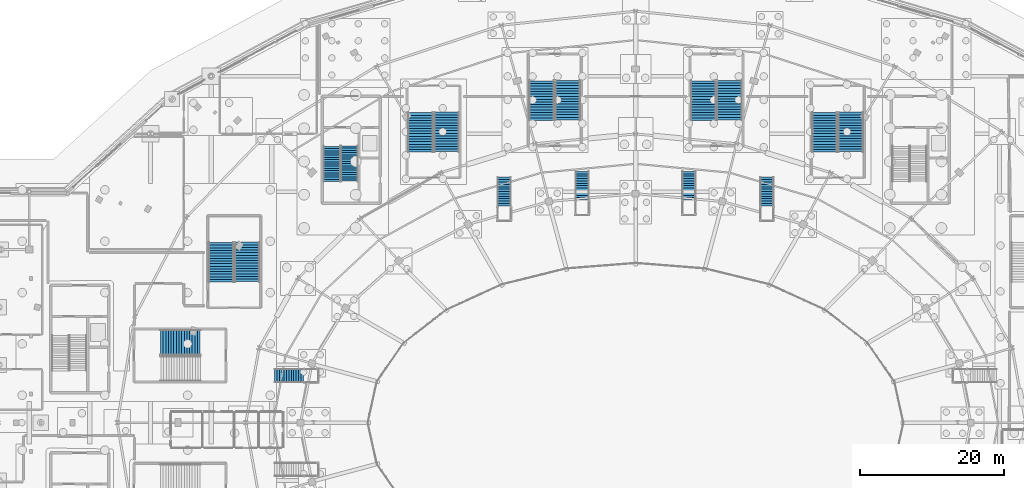
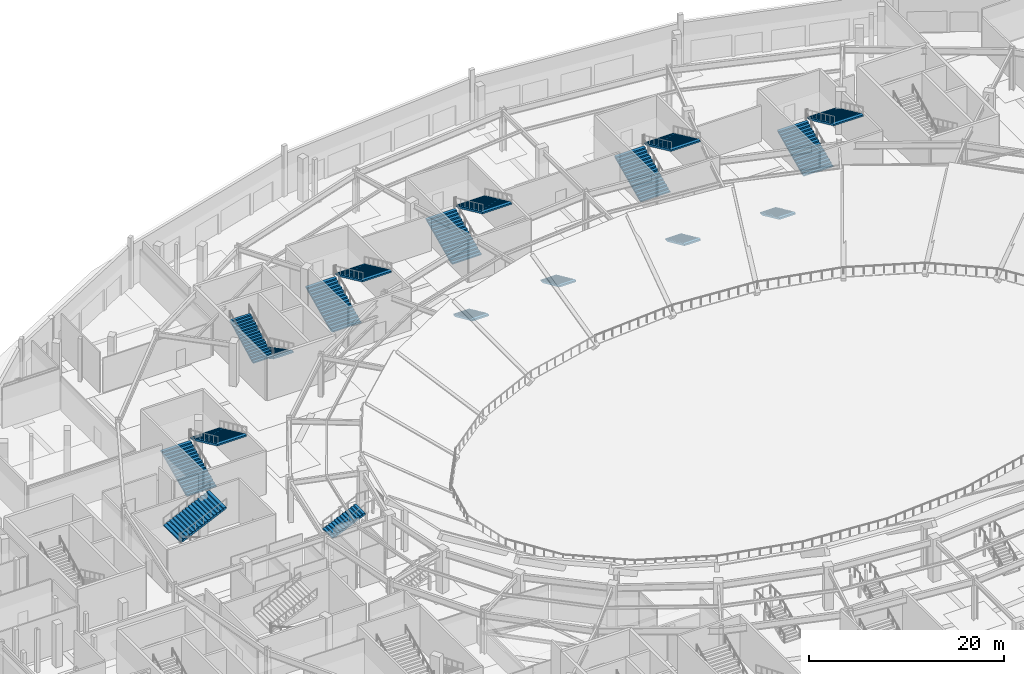
# One storey, part 66 of 93: 18 stair flights, 12 elements without a shape of their own.
"""IFC4 building model written with IfcOpenShell, lengths in metres."""

from ifc_helpers import new_model, si_unit, direction, frame, origin, place, context, subcontext, project, spatial, polyline, outline, extrude, material, type_object, element, aggregate, save


model = new_model("IFC4")

# Units and contexts
model_context = context("Model", 3, precision=1e-05, world=origin(), true_north=direction((0.0, 1.0)))
body_context = subcontext(model_context, "Body", "Model", "MODEL_VIEW")
ifc_project = project(units=[si_unit("LENGTHUNIT", "METRE"), si_unit("AREAUNIT", "SQUARE_METRE"), si_unit("VOLUMEUNIT", "CUBIC_METRE"), si_unit("PLANEANGLEUNIT", "RADIAN"), si_unit("MASSUNIT", "GRAM", prefix="KILO")], contexts=[model_context])

# Site, building, storey
site_placement = place(None, origin())
site = spatial("IfcSite", under=ifc_project, at=site_placement, CompositionType="ELEMENT")
building_placement = place(site_placement, origin())
building = spatial("IfcBuilding", under=site, at=building_placement, Name="Kalgoora Escarpment Arena", CompositionType="ELEMENT")
storey_placement = place(building_placement, origin())
storey = spatial("IfcBuildingStorey", under=building, at=storey_placement, Name="L00", CompositionType="ELEMENT", Elevation=0.0)

# Stair, stair flights
ifc_material_1 = material(Name="Concrete N40 (fc' 40 MPa)", Category="concrete")
stair_type_1 = type_object("IfcStairType", Name="STR-EXIT-3", PredefinedType="HALF_TURN_STAIR", material=ifc_material_1)
stair_1_placement = place(storey_placement, origin())
stair_1 = element("IfcStair", 1, at=stair_1_placement, inside=storey, type_object=stair_type_1, Name="Fire-isolated exit stair ST03 (L00)", PredefinedType="HALF_TURN_STAIR")
ifc_material_2 = material(Name="Concrete N40 (fc' 40 MPa)", Category="concrete")
stair_flight_type_1 = type_object("IfcStairFlightType", Name="FLT-EXIT-3", PredefinedType="STRAIGHT", material=ifc_material_2)
stair_flight_1_placement = place(storey_placement, frame((52.7548828125, 102.330078125, 0.0), z_axis=(0.0, 0.0, 1.0), x_axis=(0.0, -1.0, 0.0)))
stair_flight_1 = element("IfcStairFlight", 2, at=stair_flight_1_placement, type_object=stair_flight_type_1, Name="ST03 L00 lower flight", NumberOfRisers=17, NumberOfTreads=16, PredefinedType="STRAIGHT", RiserHeight=0.158824, TreadLength=0.305, context=body_context, shape_type="SweptSolid", body=[
    extrude(outline(polyline([(0.0, 0.0), (0.0, 0.158935546875), (0.304931640625, 0.158935546875), (0.304931640625, 0.317626953125), (0.610107421875, 0.317626953125), (0.610107421875, 0.4765625), (0.9150390625, 0.4765625), (0.9150390625, 0.63525390625), (1.219970703125, 0.63525390625), (1.219970703125, 0.794189453125), (1.52490234375, 0.794189453125), (1.52490234375, 0.952880859375), (1.830078125, 0.952880859375), (1.830078125, 1.11181640625), (2.135009765625, 1.11181640625), (2.135009765625, 1.2705078125), (2.43994140625, 1.2705078125), (2.43994140625, 1.429443359375), (2.7451171875, 1.429443359375), (2.7451171875, 1.588134765625), (3.050048828125, 1.588134765625), (3.050048828125, 1.7470703125), (3.35498046875, 1.7470703125), (3.35498046875, 1.906005859375), (3.659912109375, 1.906005859375), (3.659912109375, 2.064697265625), (3.965087890625, 2.064697265625), (3.965087890625, 2.2236328125), (4.27001953125, 2.2236328125), (4.27001953125, 2.38232421875), (4.574951171875, 2.38232421875), (4.574951171875, 2.541259765625), (4.8798828125, 2.541259765625), (4.8798828125, 2.699951171875), (4.8798828125, 2.349609375), (0.367919921875, 0.0), (0.0, 0.0)])), frame((0.0, 1.19482421875, 0.0), z_axis=(0.0, -1.0, 0.0), x_axis=(1.0, 0.0, 0.0)), (0.0, 0.0, 1.0), 2.389892578125),
])
stair_flight_2_placement = place(storey_placement, frame((50.344970703125, 97.389892578125, 2.699951171875), z_axis=(0.0, 0.0, 1.0), x_axis=(0.0, 1.0, 0.0)))
stair_flight_2 = element("IfcStairFlight", 3, at=stair_flight_2_placement, type_object=stair_flight_type_1, Name="ST03 L00 upper flight", NumberOfRisers=17, NumberOfTreads=16, PredefinedType="STRAIGHT", RiserHeight=0.158824, TreadLength=0.305, context=body_context, shape_type="SweptSolid", body=[
    extrude(outline(polyline([(0.0, 0.0), (0.0, 0.158935546875), (0.304931640625, 0.158935546875), (0.304931640625, 0.317626953125), (0.610107421875, 0.317626953125), (0.610107421875, 0.4765625), (0.9150390625, 0.4765625), (0.9150390625, 0.63525390625), (1.219970703125, 0.63525390625), (1.219970703125, 0.794189453125), (1.52490234375, 0.794189453125), (1.52490234375, 0.952880859375), (1.830078125, 0.952880859375), (1.830078125, 1.11181640625), (2.135009765625, 1.11181640625), (2.135009765625, 1.2705078125), (2.43994140625, 1.2705078125), (2.43994140625, 1.429443359375), (2.7451171875, 1.429443359375), (2.7451171875, 1.588134765625), (3.050048828125, 1.588134765625), (3.050048828125, 1.7470703125), (3.35498046875, 1.7470703125), (3.35498046875, 1.906005859375), (3.659912109375, 1.906005859375), (3.659912109375, 2.064697265625), (3.965087890625, 2.064697265625), (3.965087890625, 2.2236328125), (4.27001953125, 2.2236328125), (4.27001953125, 2.38232421875), (4.574951171875, 2.38232421875), (4.574951171875, 2.541259765625), (4.8798828125, 2.541259765625), (4.8798828125, 2.699951171875), (4.8798828125, 2.349609375), (0.367919921875, 0.0), (0.0, 0.0)])), frame((0.0, 1.19482421875, 0.0), z_axis=(0.0, -1.0, 0.0), x_axis=(1.0, 0.0, 0.0)), (0.0, 0.0, 1.0), 2.389892578125),
])
aggregate(stair_1, [stair_flight_1, stair_flight_2])

ifc_material_3 = material(Name="Precast concrete N50 (fc' 50 MPa)", Category="concrete")
stair_type_2 = type_object("IfcStairType", Name="STR-STAD-1", PredefinedType="HALF_TURN_STAIR", material=ifc_material_3)
stair_2_placement = place(storey_placement, origin())
stair_2 = element("IfcStair", 4, at=stair_2_placement, inside=storey, type_object=stair_type_2, Name="Fire-isolated exit stair ST09 (L00)", PredefinedType="HALF_TURN_STAIR")
ifc_material_4 = material(Name="Precast concrete N50 (fc' 50 MPa)", Category="concrete")
stair_flight_type_2 = type_object("IfcStairFlightType", Name="FLT-STAD-1", PredefinedType="STRAIGHT", material=ifc_material_4)
stair_flight_3_placement = place(storey_placement, frame((62.592529296875, 101.469970703125, 0.0), z_axis=(0.0, 0.0, 1.0), x_axis=(0.0, 1.0, 0.0)))
stair_flight_3 = element("IfcStairFlight", 5, at=stair_flight_3_placement, type_object=stair_flight_type_2, Name="ST09 L00 lower flight", NumberOfRisers=16, NumberOfTreads=15, PredefinedType="STRAIGHT", RiserHeight=0.16875, TreadLength=0.365, context=body_context, shape_type="SweptSolid", body=[
    extrude(outline(polyline([(0.0, 0.0), (0.0, 0.168701171875), (0.364990234375, 0.168701171875), (0.364990234375, 0.33740234375), (0.72998046875, 0.33740234375), (0.72998046875, 0.50634765625), (1.094970703125, 0.50634765625), (1.094970703125, 0.675048828125), (1.4599609375, 0.675048828125), (1.4599609375, 0.84375), (1.824951171875, 0.84375), (1.824951171875, 1.012451171875), (2.18994140625, 1.012451171875), (2.18994140625, 1.18115234375), (2.554931640625, 1.18115234375), (2.554931640625, 1.35009765625), (2.919921875, 1.35009765625), (2.919921875, 1.518798828125), (3.284912109375, 1.518798828125), (3.284912109375, 1.6875), (3.64990234375, 1.6875), (3.64990234375, 1.856201171875), (4.014892578125, 1.856201171875), (4.014892578125, 2.02490234375), (4.3798828125, 2.02490234375), (4.3798828125, 2.19384765625), (4.7451171875, 2.19384765625), (4.7451171875, 2.362548828125), (5.110107421875, 2.362548828125), (5.110107421875, 2.53125), (5.47509765625, 2.53125), (5.47509765625, 2.699951171875), (5.47509765625, 2.343994140625), (0.405029296875, 0.0), (0.0, 0.0)])), frame((0.0, 1.74267578125, 0.0), z_axis=(0.0, -1.0, 0.0), x_axis=(1.0, 0.0, 0.0)), (0.0, 0.0, 1.0), 3.485107421875),
])
stair_flight_4_placement = place(storey_placement, frame((66.20751953125, 107.0048828125, 2.699951171875), z_axis=(0.0, 0.0, 1.0), x_axis=(0.0, -1.0, 0.0)))
stair_flight_4 = element("IfcStairFlight", 6, at=stair_flight_4_placement, type_object=stair_flight_type_2, Name="ST09 L00 upper flight", NumberOfRisers=16, NumberOfTreads=15, PredefinedType="STRAIGHT", RiserHeight=0.16875, TreadLength=0.365, context=body_context, shape_type="SweptSolid", body=[
    extrude(outline(polyline([(0.0, 0.0), (0.0, 0.168701171875), (0.364990234375, 0.168701171875), (0.364990234375, 0.33740234375), (0.72998046875, 0.33740234375), (0.72998046875, 0.50634765625), (1.094970703125, 0.50634765625), (1.094970703125, 0.675048828125), (1.4599609375, 0.675048828125), (1.4599609375, 0.84375), (1.824951171875, 0.84375), (1.824951171875, 1.012451171875), (2.18994140625, 1.012451171875), (2.18994140625, 1.18115234375), (2.554931640625, 1.18115234375), (2.554931640625, 1.35009765625), (2.919921875, 1.35009765625), (2.919921875, 1.518798828125), (3.284912109375, 1.518798828125), (3.284912109375, 1.6875), (3.64990234375, 1.6875), (3.64990234375, 1.856201171875), (4.014892578125, 1.856201171875), (4.014892578125, 2.02490234375), (4.3798828125, 2.02490234375), (4.3798828125, 2.19384765625), (4.7451171875, 2.19384765625), (4.7451171875, 2.362548828125), (5.110107421875, 2.362548828125), (5.110107421875, 2.53125), (5.47509765625, 2.53125), (5.47509765625, 2.699951171875), (5.47509765625, 2.343994140625), (0.405029296875, 0.0), (0.0, 0.0)])), frame((0.0, 1.74267578125, 0.0), z_axis=(0.0, -1.0, 0.0), x_axis=(1.0, 0.0, 0.0)), (0.0, 0.0, 1.0), 3.485107421875),
])
aggregate(stair_2, [stair_flight_3, stair_flight_4])

# Stair, stair flight
stair_3_placement = place(storey_placement, origin())
stair_3 = element("IfcStair", 7, at=stair_3_placement, inside=storey, type_object=stair_type_2, Name="Fire-isolated exit stair ST17 (L00)", PredefinedType="HALF_TURN_STAIR")
stair_flight_5_placement = place(storey_placement, frame((26.594970703125, 75.107421875, 2.699951171875), z_axis=(0.0, 0.0, 1.0), x_axis=(1.0, 0.0, 0.0)))
stair_flight_5 = element("IfcStairFlight", 8, at=stair_flight_5_placement, type_object=stair_flight_type_2, Name="ST17 L00 upper flight", NumberOfRisers=16, NumberOfTreads=15, PredefinedType="STRAIGHT", RiserHeight=0.16875, TreadLength=0.365, context=body_context, shape_type="SweptSolid", body=[
    extrude(outline(polyline([(0.0, 0.0), (0.0, 0.168701171875), (0.364990234375, 0.168701171875), (0.364990234375, 0.33740234375), (0.72998046875, 0.33740234375), (0.72998046875, 0.50634765625), (1.094970703125, 0.50634765625), (1.094970703125, 0.675048828125), (1.4599609375, 0.675048828125), (1.4599609375, 0.84375), (1.824951171875, 0.84375), (1.824951171875, 1.012451171875), (2.18994140625, 1.012451171875), (2.18994140625, 1.18115234375), (2.554931640625, 1.18115234375), (2.554931640625, 1.35009765625), (2.919921875, 1.35009765625), (2.919921875, 1.518798828125), (3.284912109375, 1.518798828125), (3.284912109375, 1.6875), (3.64990234375, 1.6875), (3.64990234375, 1.856201171875), (4.014892578125, 1.856201171875), (4.014892578125, 2.02490234375), (4.3798828125, 2.02490234375), (4.3798828125, 2.19384765625), (4.7451171875, 2.19384765625), (4.7451171875, 2.362548828125), (5.110107421875, 2.362548828125), (5.110107421875, 2.53125), (5.47509765625, 2.53125), (5.47509765625, 2.699951171875), (5.47509765625, 2.343994140625), (0.405029296875, 0.0), (0.0, 0.0)])), frame((0.0, 1.74267578125, 0.0), z_axis=(0.0, -1.0, 0.0), x_axis=(1.0, 0.0, 0.0)), (0.0, 0.0, 1.0), 3.485107421875),
])
aggregate(stair_3, [stair_flight_5])

# Stair, stair flights
ifc_material_5 = material(Name="Precast concrete N50 (fc' 50 MPa)", Category="concrete")
stair_type_3 = type_object("IfcStairType", Name="STR-STAD-2", PredefinedType="HALF_TURN_STAIR", material=ifc_material_5)
stair_4_placement = place(storey_placement, origin())
stair_4 = element("IfcStair", 9, at=stair_4_placement, inside=storey, type_object=stair_type_3, Name="Fire-isolated exit stair ST10 (L00)", PredefinedType="HALF_TURN_STAIR")
ifc_material_6 = material(Name="Precast concrete N50 (fc' 50 MPa)", Category="concrete")
stair_flight_type_3 = type_object("IfcStairFlightType", Name="FLT-STAD-2", PredefinedType="STRAIGHT", material=ifc_material_6)
stair_flight_6_placement = place(storey_placement, frame((79.39501953125, 105.8701171875, 0.0), z_axis=(0.0, 0.0, 1.0), x_axis=(0.0, 1.0, 0.0)))
stair_flight_6 = element("IfcStairFlight", 10, at=stair_flight_6_placement, type_object=stair_flight_type_3, Name="ST10 L00 lower flight", NumberOfRisers=16, NumberOfTreads=15, PredefinedType="STRAIGHT", RiserHeight=0.16875, TreadLength=0.365, context=body_context, shape_type="SweptSolid", body=[
    extrude(outline(polyline([(0.0, 0.0), (0.0, 0.168701171875), (0.364990234375, 0.168701171875), (0.364990234375, 0.33740234375), (0.72998046875, 0.33740234375), (0.72998046875, 0.50634765625), (1.094970703125, 0.50634765625), (1.094970703125, 0.675048828125), (1.4599609375, 0.675048828125), (1.4599609375, 0.84375), (1.824951171875, 0.84375), (1.824951171875, 1.012451171875), (2.18994140625, 1.012451171875), (2.18994140625, 1.18115234375), (2.554931640625, 1.18115234375), (2.554931640625, 1.35009765625), (2.919921875, 1.35009765625), (2.919921875, 1.518798828125), (3.284912109375, 1.518798828125), (3.284912109375, 1.6875), (3.64990234375, 1.6875), (3.64990234375, 1.856201171875), (4.014892578125, 1.856201171875), (4.014892578125, 2.02490234375), (4.3798828125, 2.02490234375), (4.3798828125, 2.19384765625), (4.7451171875, 2.19384765625), (4.7451171875, 2.362548828125), (5.110107421875, 2.362548828125), (5.110107421875, 2.53125), (5.47509765625, 2.53125), (5.47509765625, 2.699951171875), (5.47509765625, 2.343994140625), (0.405029296875, 0.0), (0.0, 0.0)])), frame((0.0, 1.7451171875, 0.0), z_axis=(0.0, -1.0, 0.0), x_axis=(1.0, 0.0, 0.0)), (0.0, 0.0, 1.0), 3.489990234375),
])
stair_flight_7_placement = place(storey_placement, frame((83.0048828125, 111.405029296875, 2.699951171875), z_axis=(0.0, 0.0, 1.0), x_axis=(0.0, -1.0, 0.0)))
stair_flight_7 = element("IfcStairFlight", 11, at=stair_flight_7_placement, type_object=stair_flight_type_3, Name="ST10 L00 upper flight", NumberOfRisers=16, NumberOfTreads=15, PredefinedType="STRAIGHT", RiserHeight=0.16875, TreadLength=0.365, context=body_context, shape_type="SweptSolid", body=[
    extrude(outline(polyline([(0.0, 0.0), (0.0, 0.168701171875), (0.364990234375, 0.168701171875), (0.364990234375, 0.33740234375), (0.72998046875, 0.33740234375), (0.72998046875, 0.50634765625), (1.094970703125, 0.50634765625), (1.094970703125, 0.675048828125), (1.4599609375, 0.675048828125), (1.4599609375, 0.84375), (1.824951171875, 0.84375), (1.824951171875, 1.012451171875), (2.18994140625, 1.012451171875), (2.18994140625, 1.18115234375), (2.554931640625, 1.18115234375), (2.554931640625, 1.35009765625), (2.919921875, 1.35009765625), (2.919921875, 1.518798828125), (3.284912109375, 1.518798828125), (3.284912109375, 1.6875), (3.64990234375, 1.6875), (3.64990234375, 1.856201171875), (4.014892578125, 1.856201171875), (4.014892578125, 2.02490234375), (4.3798828125, 2.02490234375), (4.3798828125, 2.19384765625), (4.7451171875, 2.19384765625), (4.7451171875, 2.362548828125), (5.110107421875, 2.362548828125), (5.110107421875, 2.53125), (5.47509765625, 2.53125), (5.47509765625, 2.699951171875), (5.47509765625, 2.343994140625), (0.405029296875, 0.0), (0.0, 0.0)])), frame((0.0, 1.7451171875, 0.0), z_axis=(0.0, -1.0, 0.0), x_axis=(1.0, 0.0, 0.0)), (0.0, 0.0, 1.0), 3.489990234375),
])
aggregate(stair_4, [stair_flight_6, stair_flight_7])

ifc_material_7 = material(Name="Precast concrete N50 (fc' 50 MPa)", Category="concrete")
stair_type_4 = type_object("IfcStairType", Name="STR-STAD-3", PredefinedType="HALF_TURN_STAIR", material=ifc_material_7)
stair_5_placement = place(storey_placement, origin())
stair_5 = element("IfcStair", 12, at=stair_5_placement, inside=storey, type_object=stair_type_4, Name="Fire-isolated exit stair ST11 (L00)", PredefinedType="HALF_TURN_STAIR")
ifc_material_8 = material(Name="Precast concrete N50 (fc' 50 MPa)", Category="concrete")
stair_flight_type_4 = type_object("IfcStairFlightType", Name="FLT-STAD-3", PredefinedType="STRAIGHT", material=ifc_material_8)
stair_flight_8_placement = place(storey_placement, frame((101.797607421875, 105.8701171875, 0.0), z_axis=(0.0, 0.0, 1.0), x_axis=(0.0, 1.0, 0.0)))
stair_flight_8 = element("IfcStairFlight", 13, at=stair_flight_8_placement, type_object=stair_flight_type_4, Name="ST11 L00 lower flight", NumberOfRisers=16, NumberOfTreads=15, PredefinedType="STRAIGHT", RiserHeight=0.16875, TreadLength=0.365, context=body_context, shape_type="SweptSolid", body=[
    extrude(outline(polyline([(0.0, 0.0), (0.0, 0.168701171875), (0.364990234375, 0.168701171875), (0.364990234375, 0.33740234375), (0.72998046875, 0.33740234375), (0.72998046875, 0.50634765625), (1.094970703125, 0.50634765625), (1.094970703125, 0.675048828125), (1.4599609375, 0.675048828125), (1.4599609375, 0.84375), (1.824951171875, 0.84375), (1.824951171875, 1.012451171875), (2.18994140625, 1.012451171875), (2.18994140625, 1.18115234375), (2.554931640625, 1.18115234375), (2.554931640625, 1.35009765625), (2.919921875, 1.35009765625), (2.919921875, 1.518798828125), (3.284912109375, 1.518798828125), (3.284912109375, 1.6875), (3.64990234375, 1.6875), (3.64990234375, 1.856201171875), (4.014892578125, 1.856201171875), (4.014892578125, 2.02490234375), (4.3798828125, 2.02490234375), (4.3798828125, 2.19384765625), (4.7451171875, 2.19384765625), (4.7451171875, 2.362548828125), (5.110107421875, 2.362548828125), (5.110107421875, 2.53125), (5.47509765625, 2.53125), (5.47509765625, 2.699951171875), (5.47509765625, 2.343994140625), (0.405029296875, 0.0), (0.0, 0.0)])), frame((0.0, 1.74755859375, 0.0), z_axis=(0.0, -1.0, 0.0), x_axis=(1.0, 0.0, 0.0)), (0.0, 0.0, 1.0), 3.4951171875),
])
stair_flight_9_placement = place(storey_placement, frame((105.402587890625, 111.405029296875, 2.699951171875), z_axis=(0.0, 0.0, 1.0), x_axis=(0.0, -1.0, 0.0)))
stair_flight_9 = element("IfcStairFlight", 14, at=stair_flight_9_placement, type_object=stair_flight_type_4, Name="ST11 L00 upper flight", NumberOfRisers=16, NumberOfTreads=15, PredefinedType="STRAIGHT", RiserHeight=0.16875, TreadLength=0.365, context=body_context, shape_type="SweptSolid", body=[
    extrude(outline(polyline([(0.0, 0.0), (0.0, 0.168701171875), (0.364990234375, 0.168701171875), (0.364990234375, 0.33740234375), (0.72998046875, 0.33740234375), (0.72998046875, 0.50634765625), (1.094970703125, 0.50634765625), (1.094970703125, 0.675048828125), (1.4599609375, 0.675048828125), (1.4599609375, 0.84375), (1.824951171875, 0.84375), (1.824951171875, 1.012451171875), (2.18994140625, 1.012451171875), (2.18994140625, 1.18115234375), (2.554931640625, 1.18115234375), (2.554931640625, 1.35009765625), (2.919921875, 1.35009765625), (2.919921875, 1.518798828125), (3.284912109375, 1.518798828125), (3.284912109375, 1.6875), (3.64990234375, 1.6875), (3.64990234375, 1.856201171875), (4.014892578125, 1.856201171875), (4.014892578125, 2.02490234375), (4.3798828125, 2.02490234375), (4.3798828125, 2.19384765625), (4.7451171875, 2.19384765625), (4.7451171875, 2.362548828125), (5.110107421875, 2.362548828125), (5.110107421875, 2.53125), (5.47509765625, 2.53125), (5.47509765625, 2.699951171875), (5.47509765625, 2.343994140625), (0.405029296875, 0.0), (0.0, 0.0)])), frame((0.0, 1.74755859375, 0.0), z_axis=(0.0, -1.0, 0.0), x_axis=(1.0, 0.0, 0.0)), (0.0, 0.0, 1.0), 3.4951171875),
])
aggregate(stair_5, [stair_flight_8, stair_flight_9])

stair_6_placement = place(storey_placement, origin())
stair_6 = element("IfcStair", 15, at=stair_6_placement, inside=storey, type_object=stair_type_4, Name="Fire-isolated exit stair ST19 (L00)", PredefinedType="HALF_TURN_STAIR")
stair_flight_10_placement = place(storey_placement, frame((34.99755859375, 83.469970703125, 0.0), z_axis=(0.0, 0.0, 1.0), x_axis=(0.0, 1.0, 0.0)))
stair_flight_10 = element("IfcStairFlight", 16, at=stair_flight_10_placement, type_object=stair_flight_type_4, Name="ST19 L00 lower flight", NumberOfRisers=16, NumberOfTreads=15, PredefinedType="STRAIGHT", RiserHeight=0.16875, TreadLength=0.365, context=body_context, shape_type="SweptSolid", body=[
    extrude(outline(polyline([(0.0, 0.0), (0.0, 0.168701171875), (0.364990234375, 0.168701171875), (0.364990234375, 0.33740234375), (0.72998046875, 0.33740234375), (0.72998046875, 0.50634765625), (1.094970703125, 0.50634765625), (1.094970703125, 0.675048828125), (1.4599609375, 0.675048828125), (1.4599609375, 0.84375), (1.824951171875, 0.84375), (1.824951171875, 1.012451171875), (2.18994140625, 1.012451171875), (2.18994140625, 1.18115234375), (2.554931640625, 1.18115234375), (2.554931640625, 1.35009765625), (2.919921875, 1.35009765625), (2.919921875, 1.518798828125), (3.284912109375, 1.518798828125), (3.284912109375, 1.6875), (3.64990234375, 1.6875), (3.64990234375, 1.856201171875), (4.014892578125, 1.856201171875), (4.014892578125, 2.02490234375), (4.3798828125, 2.02490234375), (4.3798828125, 2.19384765625), (4.7451171875, 2.19384765625), (4.7451171875, 2.362548828125), (5.110107421875, 2.362548828125), (5.110107421875, 2.53125), (5.47509765625, 2.53125), (5.47509765625, 2.699951171875), (5.47509765625, 2.343994140625), (0.405029296875, 0.0), (0.0, 0.0)])), frame((0.0, 1.74755859375, 0.0), z_axis=(0.0, -1.0, 0.0), x_axis=(1.0, 0.0, 0.0)), (0.0, 0.0, 1.0), 3.4951171875),
])
stair_flight_11_placement = place(storey_placement, frame((38.6025390625, 89.0048828125, 2.699951171875), z_axis=(0.0, 0.0, 1.0), x_axis=(0.0, -1.0, 0.0)))
stair_flight_11 = element("IfcStairFlight", 17, at=stair_flight_11_placement, type_object=stair_flight_type_4, Name="ST19 L00 upper flight", NumberOfRisers=16, NumberOfTreads=15, PredefinedType="STRAIGHT", RiserHeight=0.16875, TreadLength=0.365, context=body_context, shape_type="SweptSolid", body=[
    extrude(outline(polyline([(0.0, 0.0), (0.0, 0.168701171875), (0.364990234375, 0.168701171875), (0.364990234375, 0.33740234375), (0.72998046875, 0.33740234375), (0.72998046875, 0.50634765625), (1.094970703125, 0.50634765625), (1.094970703125, 0.675048828125), (1.4599609375, 0.675048828125), (1.4599609375, 0.84375), (1.824951171875, 0.84375), (1.824951171875, 1.012451171875), (2.18994140625, 1.012451171875), (2.18994140625, 1.18115234375), (2.554931640625, 1.18115234375), (2.554931640625, 1.35009765625), (2.919921875, 1.35009765625), (2.919921875, 1.518798828125), (3.284912109375, 1.518798828125), (3.284912109375, 1.6875), (3.64990234375, 1.6875), (3.64990234375, 1.856201171875), (4.014892578125, 1.856201171875), (4.014892578125, 2.02490234375), (4.3798828125, 2.02490234375), (4.3798828125, 2.19384765625), (4.7451171875, 2.19384765625), (4.7451171875, 2.362548828125), (5.110107421875, 2.362548828125), (5.110107421875, 2.53125), (5.47509765625, 2.53125), (5.47509765625, 2.699951171875), (5.47509765625, 2.343994140625), (0.405029296875, 0.0), (0.0, 0.0)])), frame((0.0, 1.74755859375, 0.0), z_axis=(0.0, -1.0, 0.0), x_axis=(1.0, 0.0, 0.0)), (0.0, 0.0, 1.0), 3.4951171875),
])
aggregate(stair_6, [stair_flight_10, stair_flight_11])

ifc_material_9 = material(Name="Precast concrete N50 (fc' 50 MPa)", Category="concrete")
stair_type_5 = type_object("IfcStairType", Name="STR-STAD-4", PredefinedType="HALF_TURN_STAIR", material=ifc_material_9)
stair_7_placement = place(storey_placement, origin())
stair_7 = element("IfcStair", 18, at=stair_7_placement, inside=storey, type_object=stair_type_5, Name="Fire-isolated exit stair ST12 (L00)", PredefinedType="HALF_TURN_STAIR")
ifc_material_10 = material(Name="Precast concrete N50 (fc' 50 MPa)", Category="concrete")
stair_flight_type_5 = type_object("IfcStairFlightType", Name="FLT-STAD-4", PredefinedType="STRAIGHT", material=ifc_material_10)
stair_flight_12_placement = place(storey_placement, frame((118.60009765625, 101.469970703125, 0.0), z_axis=(0.0, 0.0, 1.0), x_axis=(0.0, 1.0, 0.0)))
stair_flight_12 = element("IfcStairFlight", 19, at=stair_flight_12_placement, type_object=stair_flight_type_5, Name="ST12 L00 lower flight", NumberOfRisers=16, NumberOfTreads=15, PredefinedType="STRAIGHT", RiserHeight=0.16875, TreadLength=0.365, context=body_context, shape_type="SweptSolid", body=[
    extrude(outline(polyline([(0.0, 0.0), (0.0, 0.168701171875), (0.364990234375, 0.168701171875), (0.364990234375, 0.33740234375), (0.72998046875, 0.33740234375), (0.72998046875, 0.50634765625), (1.094970703125, 0.50634765625), (1.094970703125, 0.675048828125), (1.4599609375, 0.675048828125), (1.4599609375, 0.84375), (1.824951171875, 0.84375), (1.824951171875, 1.012451171875), (2.18994140625, 1.012451171875), (2.18994140625, 1.18115234375), (2.554931640625, 1.18115234375), (2.554931640625, 1.35009765625), (2.919921875, 1.35009765625), (2.919921875, 1.518798828125), (3.284912109375, 1.518798828125), (3.284912109375, 1.6875), (3.64990234375, 1.6875), (3.64990234375, 1.856201171875), (4.014892578125, 1.856201171875), (4.014892578125, 2.02490234375), (4.3798828125, 2.02490234375), (4.3798828125, 2.19384765625), (4.7451171875, 2.19384765625), (4.7451171875, 2.362548828125), (5.110107421875, 2.362548828125), (5.110107421875, 2.53125), (5.47509765625, 2.53125), (5.47509765625, 2.699951171875), (5.47509765625, 2.343994140625), (0.405029296875, 0.0), (0.0, 0.0)])), frame((0.0, 1.75, 0.0), z_axis=(0.0, -1.0, 0.0), x_axis=(1.0, 0.0, 0.0)), (0.0, 0.0, 1.0), 3.5),
])
stair_flight_13_placement = place(storey_placement, frame((122.199951171875, 107.0048828125, 2.699951171875), z_axis=(0.0, 0.0, 1.0), x_axis=(0.0, -1.0, 0.0)))
stair_flight_13 = element("IfcStairFlight", 20, at=stair_flight_13_placement, type_object=stair_flight_type_5, Name="ST12 L00 upper flight", NumberOfRisers=16, NumberOfTreads=15, PredefinedType="STRAIGHT", RiserHeight=0.16875, TreadLength=0.365, context=body_context, shape_type="SweptSolid", body=[
    extrude(outline(polyline([(0.0, 0.0), (0.0, 0.168701171875), (0.364990234375, 0.168701171875), (0.364990234375, 0.33740234375), (0.72998046875, 0.33740234375), (0.72998046875, 0.50634765625), (1.094970703125, 0.50634765625), (1.094970703125, 0.675048828125), (1.4599609375, 0.675048828125), (1.4599609375, 0.84375), (1.824951171875, 0.84375), (1.824951171875, 1.012451171875), (2.18994140625, 1.012451171875), (2.18994140625, 1.18115234375), (2.554931640625, 1.18115234375), (2.554931640625, 1.35009765625), (2.919921875, 1.35009765625), (2.919921875, 1.518798828125), (3.284912109375, 1.518798828125), (3.284912109375, 1.6875), (3.64990234375, 1.6875), (3.64990234375, 1.856201171875), (4.014892578125, 1.856201171875), (4.014892578125, 2.02490234375), (4.3798828125, 2.02490234375), (4.3798828125, 2.19384765625), (4.7451171875, 2.19384765625), (4.7451171875, 2.362548828125), (5.110107421875, 2.362548828125), (5.110107421875, 2.53125), (5.47509765625, 2.53125), (5.47509765625, 2.699951171875), (5.47509765625, 2.343994140625), (0.405029296875, 0.0), (0.0, 0.0)])), frame((0.0, 1.75, 0.0), z_axis=(0.0, -1.0, 0.0), x_axis=(1.0, 0.0, 0.0)), (0.0, 0.0, 1.0), 3.5),
])
aggregate(stair_7, [stair_flight_12, stair_flight_13])

# Stair, stair flight
ifc_material_11 = material(Name="Precast concrete N50 (fc' 50 MPa)", Category="concrete")
stair_type_6 = type_object("IfcStairType", Name="STR-VOM-1920", PredefinedType="STRAIGHT_RUN_STAIR", material=ifc_material_11)
stair_8_placement = place(storey_placement, origin())
stair_8 = element("IfcStair", 21, at=stair_8_placement, inside=storey, type_object=stair_type_6, Name="Bowl vomitory stair VST01", PredefinedType="STRAIGHT_RUN_STAIR")
ifc_material_12 = material(Name="Precast concrete N50 (fc' 50 MPa)", Category="concrete")
stair_flight_type_6 = type_object("IfcStairFlightType", Name="FLT-VOM-1920", PredefinedType="STRAIGHT", material=ifc_material_12)
stair_flight_14_placement = place(storey_placement, frame((74.199951171875, 98.0, 0.0), z_axis=(0.0, 0.0, 1.0), x_axis=(0.0, -1.0, 0.0)))
stair_flight_14 = element("IfcStairFlight", 22, at=stair_flight_14_placement, type_object=stair_flight_type_6, Name="Vomitory stair flight VST01", NumberOfRisers=13, NumberOfTreads=12, PredefinedType="STRAIGHT", RiserHeight=0.15, TreadLength=0.33, context=body_context, shape_type="SweptSolid", body=[
    extrude(outline(polyline([(0.0, 0.0), (0.0, 0.14990234375), (0.330078125, 0.14990234375), (0.330078125, 0.300048828125), (0.659912109375, 0.300048828125), (0.659912109375, 0.449951171875), (0.989990234375, 0.449951171875), (0.989990234375, 0.60009765625), (1.320068359375, 0.60009765625), (1.320068359375, 0.75), (1.64990234375, 0.75), (1.64990234375, 0.89990234375), (1.97998046875, 0.89990234375), (1.97998046875, 1.050048828125), (2.31005859375, 1.050048828125), (2.31005859375, 1.199951171875), (2.639892578125, 1.199951171875), (2.639892578125, 1.35009765625), (2.969970703125, 1.35009765625), (2.969970703125, 1.5), (3.300048828125, 1.5), (3.300048828125, 1.64990234375), (3.6298828125, 1.64990234375), (3.6298828125, 1.800048828125), (3.9599609375, 1.800048828125), (3.9599609375, 1.949951171875), (3.9599609375, 1.602294921875), (0.434814453125, 0.0), (0.0, 0.0)])), frame((0.0, 0.9599609375, 0.0), z_axis=(0.0, -1.0, 0.0), x_axis=(1.0, 0.0, 0.0)), (0.0, 0.0, 1.0), 1.919921875),
])
aggregate(stair_8, [stair_flight_14])

stair_9_placement = place(storey_placement, origin())
stair_9 = element("IfcStair", 23, at=stair_9_placement, inside=storey, type_object=stair_type_6, Name="Bowl vomitory stair VST02", PredefinedType="STRAIGHT_RUN_STAIR")
stair_flight_15_placement = place(storey_placement, frame((85.0, 98.800048828125, 0.0), z_axis=(0.0, 0.0, 1.0), x_axis=(0.0, -1.0, 0.0)))
stair_flight_15 = element("IfcStairFlight", 24, at=stair_flight_15_placement, type_object=stair_flight_type_6, Name="Vomitory stair flight VST02", NumberOfRisers=13, NumberOfTreads=12, PredefinedType="STRAIGHT", RiserHeight=0.15, TreadLength=0.33, context=body_context, shape_type="SweptSolid", body=[
    extrude(outline(polyline([(0.0, 0.0), (0.0, 0.14990234375), (0.330078125, 0.14990234375), (0.330078125, 0.300048828125), (0.659912109375, 0.300048828125), (0.659912109375, 0.449951171875), (0.989990234375, 0.449951171875), (0.989990234375, 0.60009765625), (1.320068359375, 0.60009765625), (1.320068359375, 0.75), (1.64990234375, 0.75), (1.64990234375, 0.89990234375), (1.97998046875, 0.89990234375), (1.97998046875, 1.050048828125), (2.31005859375, 1.050048828125), (2.31005859375, 1.199951171875), (2.639892578125, 1.199951171875), (2.639892578125, 1.35009765625), (2.969970703125, 1.35009765625), (2.969970703125, 1.5), (3.300048828125, 1.5), (3.300048828125, 1.64990234375), (3.6298828125, 1.64990234375), (3.6298828125, 1.800048828125), (3.9599609375, 1.800048828125), (3.9599609375, 1.949951171875), (3.9599609375, 1.602294921875), (0.434814453125, 0.0), (0.0, 0.0)])), frame((0.0, 0.9599609375, 0.0), z_axis=(0.0, -1.0, 0.0), x_axis=(1.0, 0.0, 0.0)), (0.0, 0.0, 1.0), 1.919921875),
])
aggregate(stair_9, [stair_flight_15])

stair_10_placement = place(storey_placement, origin())
stair_10 = element("IfcStair", 25, at=stair_10_placement, inside=storey, type_object=stair_type_6, Name="Bowl vomitory stair VST03", PredefinedType="STRAIGHT_RUN_STAIR")
stair_flight_16_placement = place(storey_placement, frame((99.800048828125, 98.800048828125, 0.0), z_axis=(0.0, 0.0, 1.0), x_axis=(0.0, -1.0, 0.0)))
stair_flight_16 = element("IfcStairFlight", 26, at=stair_flight_16_placement, type_object=stair_flight_type_6, Name="Vomitory stair flight VST03", NumberOfRisers=13, NumberOfTreads=12, PredefinedType="STRAIGHT", RiserHeight=0.15, TreadLength=0.33, context=body_context, shape_type="SweptSolid", body=[
    extrude(outline(polyline([(0.0, 0.0), (0.0, 0.14990234375), (0.330078125, 0.14990234375), (0.330078125, 0.300048828125), (0.659912109375, 0.300048828125), (0.659912109375, 0.449951171875), (0.989990234375, 0.449951171875), (0.989990234375, 0.60009765625), (1.320068359375, 0.60009765625), (1.320068359375, 0.75), (1.64990234375, 0.75), (1.64990234375, 0.89990234375), (1.97998046875, 0.89990234375), (1.97998046875, 1.050048828125), (2.31005859375, 1.050048828125), (2.31005859375, 1.199951171875), (2.639892578125, 1.199951171875), (2.639892578125, 1.35009765625), (2.969970703125, 1.35009765625), (2.969970703125, 1.5), (3.300048828125, 1.5), (3.300048828125, 1.64990234375), (3.6298828125, 1.64990234375), (3.6298828125, 1.800048828125), (3.9599609375, 1.800048828125), (3.9599609375, 1.949951171875), (3.9599609375, 1.602294921875), (0.434814453125, 0.0), (0.0, 0.0)])), frame((0.0, 0.9599609375, 0.0), z_axis=(0.0, -1.0, 0.0), x_axis=(1.0, 0.0, 0.0)), (0.0, 0.0, 1.0), 1.919921875),
])
aggregate(stair_10, [stair_flight_16])

stair_11_placement = place(storey_placement, origin())
stair_11 = element("IfcStair", 27, at=stair_11_placement, inside=storey, type_object=stair_type_6, Name="Bowl vomitory stair VST04", PredefinedType="STRAIGHT_RUN_STAIR")
stair_flight_17_placement = place(storey_placement, frame((110.60009765625, 98.0, 0.0), z_axis=(0.0, 0.0, 1.0), x_axis=(0.0, -1.0, 0.0)))
stair_flight_17 = element("IfcStairFlight", 28, at=stair_flight_17_placement, type_object=stair_flight_type_6, Name="Vomitory stair flight VST04", NumberOfRisers=13, NumberOfTreads=12, PredefinedType="STRAIGHT", RiserHeight=0.15, TreadLength=0.33, context=body_context, shape_type="SweptSolid", body=[
    extrude(outline(polyline([(0.0, 0.0), (0.0, 0.14990234375), (0.330078125, 0.14990234375), (0.330078125, 0.300048828125), (0.659912109375, 0.300048828125), (0.659912109375, 0.449951171875), (0.989990234375, 0.449951171875), (0.989990234375, 0.60009765625), (1.320068359375, 0.60009765625), (1.320068359375, 0.75), (1.64990234375, 0.75), (1.64990234375, 0.89990234375), (1.97998046875, 0.89990234375), (1.97998046875, 1.050048828125), (2.31005859375, 1.050048828125), (2.31005859375, 1.199951171875), (2.639892578125, 1.199951171875), (2.639892578125, 1.35009765625), (2.969970703125, 1.35009765625), (2.969970703125, 1.5), (3.300048828125, 1.5), (3.300048828125, 1.64990234375), (3.6298828125, 1.64990234375), (3.6298828125, 1.800048828125), (3.9599609375, 1.800048828125), (3.9599609375, 1.949951171875), (3.9599609375, 1.602294921875), (0.434814453125, 0.0), (0.0, 0.0)])), frame((0.0, 0.9599609375, 0.0), z_axis=(0.0, -1.0, 0.0), x_axis=(1.0, 0.0, 0.0)), (0.0, 0.0, 1.0), 1.919921875),
])
aggregate(stair_11, [stair_flight_17])

stair_12_placement = place(storey_placement, origin())
stair_12 = element("IfcStair", 29, at=stair_12_placement, inside=storey, type_object=stair_type_6, Name="Bowl vomitory stair VST10", PredefinedType="STRAIGHT_RUN_STAIR")
stair_flight_18_placement = place(storey_placement, frame((42.39990234375, 70.5, 0.0), z_axis=(0.0, 0.0, 1.0), x_axis=(1.0, 0.0, 0.0)))
stair_flight_18 = element("IfcStairFlight", 30, at=stair_flight_18_placement, type_object=stair_flight_type_6, Name="Vomitory stair flight VST10", NumberOfRisers=13, NumberOfTreads=12, PredefinedType="STRAIGHT", RiserHeight=0.15, TreadLength=0.33, context=body_context, shape_type="SweptSolid", body=[
    extrude(outline(polyline([(0.0, 0.0), (0.0, 0.14990234375), (0.330078125, 0.14990234375), (0.330078125, 0.300048828125), (0.659912109375, 0.300048828125), (0.659912109375, 0.449951171875), (0.989990234375, 0.449951171875), (0.989990234375, 0.60009765625), (1.320068359375, 0.60009765625), (1.320068359375, 0.75), (1.64990234375, 0.75), (1.64990234375, 0.89990234375), (1.97998046875, 0.89990234375), (1.97998046875, 1.050048828125), (2.31005859375, 1.050048828125), (2.31005859375, 1.199951171875), (2.639892578125, 1.199951171875), (2.639892578125, 1.35009765625), (2.969970703125, 1.35009765625), (2.969970703125, 1.5), (3.300048828125, 1.5), (3.300048828125, 1.64990234375), (3.6298828125, 1.64990234375), (3.6298828125, 1.800048828125), (3.9599609375, 1.800048828125), (3.9599609375, 1.949951171875), (3.9599609375, 1.602294921875), (0.434814453125, 0.0), (0.0, 0.0)])), frame((0.0, 0.9599609375, 0.0), z_axis=(0.0, -1.0, 0.0), x_axis=(1.0, 0.0, 0.0)), (0.0, 0.0, 1.0), 1.919921875),
])
aggregate(stair_12, [stair_flight_18])

save(model, "model.ifc")
